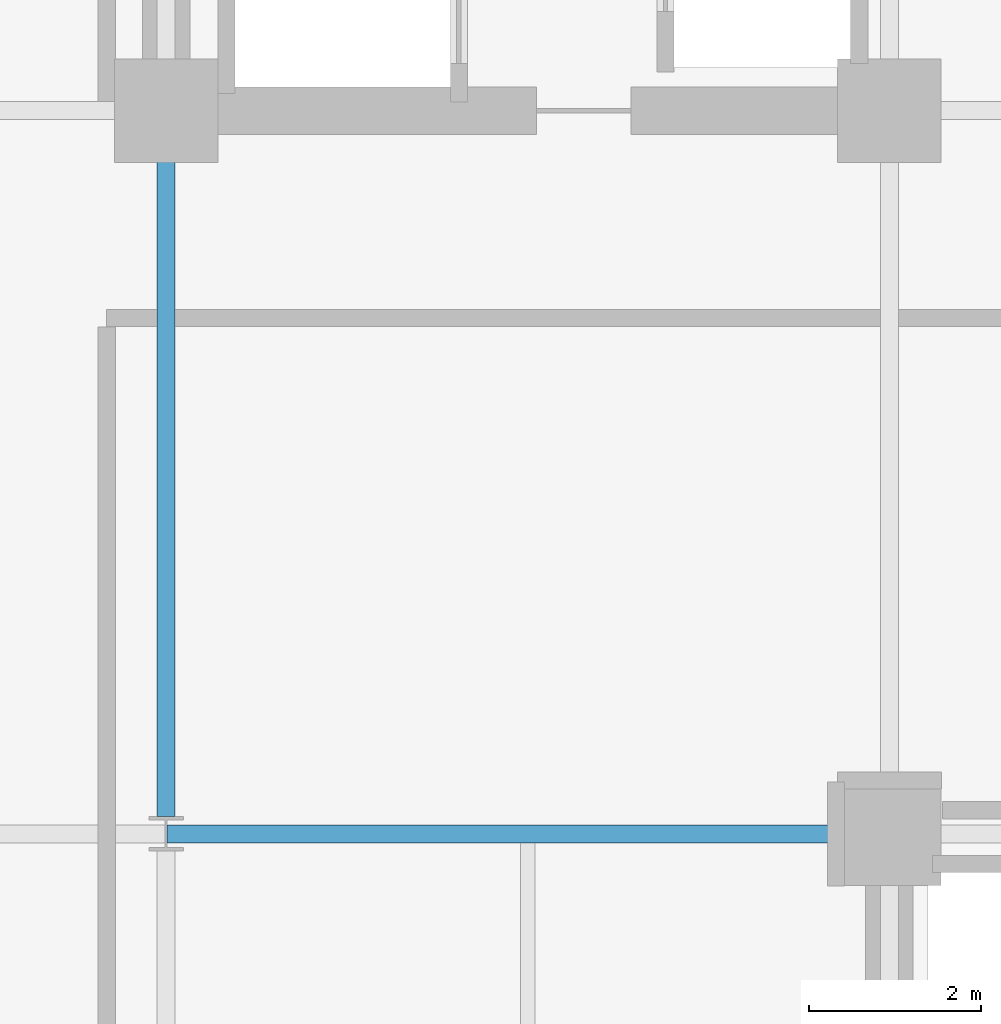
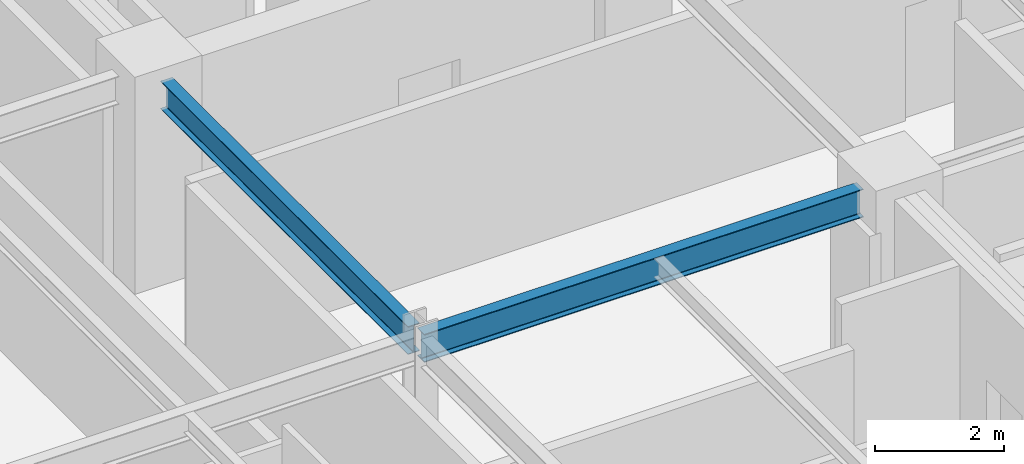
# One storey, part 12 of 38: 2 beams.
"""IFC4 building model written with IfcOpenShell, lengths in metres."""

from ifc_helpers import new_model, si_unit, direction, frame, origin, origin_2d, place, context, subcontext, project, spatial, i_section, extrude, material, material_profile, profile_set, type_object, element, save


model = new_model("IFC4")

# Units and contexts
model_context = context("Model", 3, precision=1e-05, world=origin(), true_north=direction((0.0, 1.0)))
body_context = subcontext(model_context, "Body", "Model", "MODEL_VIEW")
ifc_project = project(units=[si_unit("LENGTHUNIT", "METRE"), si_unit("AREAUNIT", "SQUARE_METRE"), si_unit("VOLUMEUNIT", "CUBIC_METRE"), si_unit("PLANEANGLEUNIT", "RADIAN"), si_unit("MASSUNIT", "GRAM", prefix="KILO")], contexts=[model_context])

# Site, building, storey
site_placement = place(None, origin())
site = spatial("IfcSite", under=ifc_project, at=site_placement, CompositionType="ELEMENT")
building_placement = place(site_placement, origin())
building = spatial("IfcBuilding", under=site, at=building_placement, Name="Nerrivon Quay Data Exchange", CompositionType="ELEMENT")
storey_placement = place(building_placement, frame((0.0, 0.0, 100.800048828125)))
storey = spatial("IfcBuildingStorey", under=building, at=storey_placement, Name="L23", CompositionType="ELEMENT", Elevation=100.800048828125)

# Beams
ifc_material = material(Name="Steel Grade 350", Category="steel")
ifc_material_profile_1 = material_profile(ifc_material, i_section(OverallWidth=0.208984375, OverallDepth=0.532958984375, WebThickness=0.01025390625, FlangeThickness=0.015625, FilletRadius=0.013916015625, at=origin_2d()), Name="530UB92.4")
ifc_profile_set_1 = profile_set([ifc_material_profile_1], Name="Steel Grade 350")
beam_type_1 = type_object("IfcBeamType", Name="BM-G3-530UB92", PredefinedType="BEAM", material=ifc_profile_set_1)
beam_1_placement = place(storey_placement, frame((8.41259765625, 16.800048828125, 3.558349609375), z_axis=(1.0, 0.0, 0.0), x_axis=(0.0, 1.0, 0.0)))
element("IfcBeam", 1, at=beam_1_placement, inside=storey, type_object=beam_type_1, Name="L23 EW Girder Y=16.8 (8.4..16.8)", PredefinedType="BEAM", context=body_context, shape_type="SweptSolid", body=[
    extrude(i_section(OverallWidth=0.208984375, OverallDepth=0.532958984375, WebThickness=0.01025390625, FlangeThickness=0.015625, FilletRadius=0.013916015625, at=origin_2d()), origin(), (0.0, 0.0, 1.0), 7.847412109375),
])
ifc_material_profile_2 = material_profile(ifc_material, i_section(OverallWidth=0.208984375, OverallDepth=0.528076171875, WebThickness=0.009521484375, FlangeThickness=0.01318359375, FilletRadius=0.013916015625, at=origin_2d()), Name="530UB82.0")
ifc_profile_set_2 = profile_set([ifc_material_profile_2], Name="Steel Grade 350")
beam_type_2 = type_object("IfcBeamType", Name="BM-G4-530UB82", PredefinedType="BEAM", material=ifc_profile_set_2)
beam_2_placement = place(storey_placement, frame((8.39990234375, 17.0, 3.56103515625), z_axis=(0.0, 1.0, 0.0), x_axis=(-1.0, 0.0, 0.0)))
element("IfcBeam", 2, at=beam_2_placement, inside=storey, type_object=beam_type_2, Name="L23 NS Girder X=8.4 (16.8..25.2)", PredefinedType="BEAM", context=body_context, shape_type="SweptSolid", body=[
    extrude(i_section(OverallWidth=0.208984375, OverallDepth=0.528076171875, WebThickness=0.009521484375, FlangeThickness=0.01318359375, FilletRadius=0.013916015625, at=origin_2d()), origin(), (0.0, 0.0, 1.0), 7.659912109375),
])

save(model, "model.ifc")
